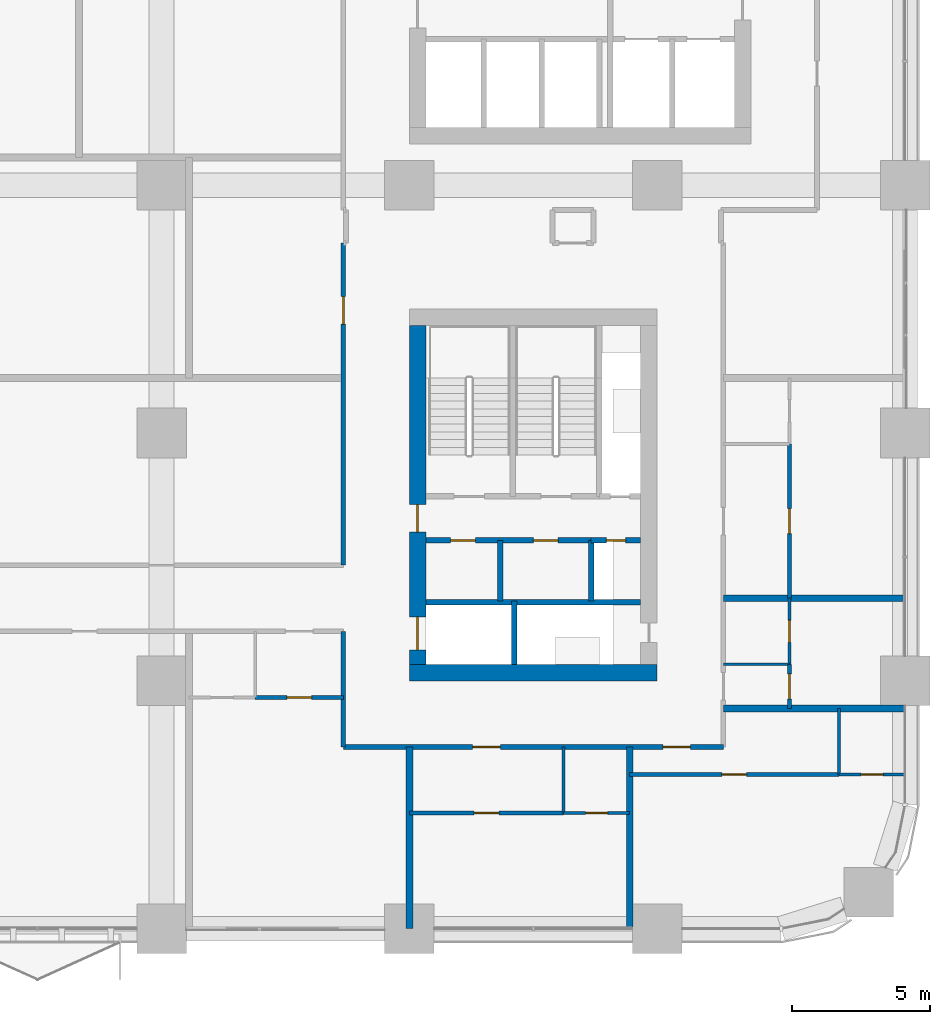
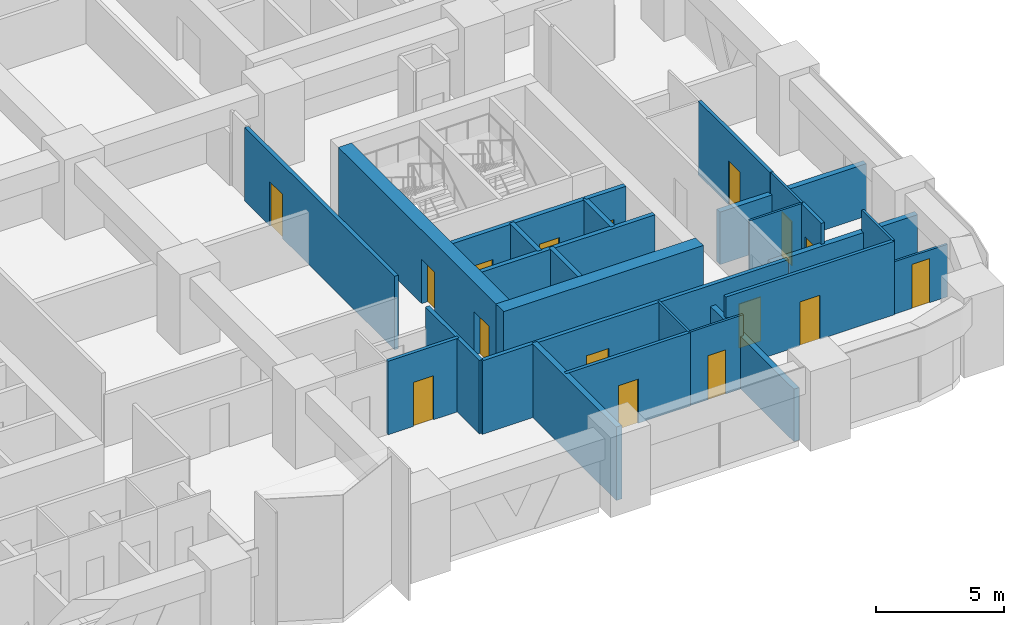
# One storey, part 16 of 24: 26 walls, 16 doors, 16 openings.
"""IFC4 building model written with IfcOpenShell, lengths in metres."""

from ifc_helpers import new_model, si_unit, direction, frame, frame_2d, origin, place, context, subcontext, project, spatial, rectangle, extrude, material, layer, layer_set, type_object, element, fill, save


model = new_model("IFC4")

# Units and contexts
model_context = context("Model", 3, precision=1e-05, world=origin(), true_north=direction((0.0, 1.0)))
body_context = subcontext(model_context, "Body", "Model", "MODEL_VIEW")
ifc_project = project(units=[si_unit("LENGTHUNIT", "METRE"), si_unit("AREAUNIT", "SQUARE_METRE"), si_unit("VOLUMEUNIT", "CUBIC_METRE"), si_unit("PLANEANGLEUNIT", "RADIAN"), si_unit("MASSUNIT", "GRAM", prefix="KILO")], contexts=[model_context])

# Site, building, storey
site_placement = place(None, origin())
site = spatial("IfcSite", under=ifc_project, at=site_placement, CompositionType="ELEMENT")
building_placement = place(site_placement, origin())
building = spatial("IfcBuilding", under=site, at=building_placement, Name="Tessera Arch", CompositionType="ELEMENT")
storey_placement = place(building_placement, frame((0.0, 0.0, 38.60009765625)))
storey = spatial("IfcBuildingStorey", under=building, at=storey_placement, Name="L07", CompositionType="ELEMENT", Elevation=38.60009765625)

# Wall
ifc_material_1 = material(Name="Gypsum board on steel stud", Category="steel")
ifc_layer_1 = layer(ifc_material_1, 0.125)
ifc_layer_set_1 = layer_set([ifc_layer_1], Name="Core partition 125 EI 60")
wall_type_1 = type_object("IfcWallType", Name="Core partition 125 EI 60", PredefinedType="PARTITIONING", material=ifc_layer_set_1)
wall_1_placement = place(storey_placement, frame((39.300048828125, 11.89990234375, 0.0), z_axis=(0.0, 0.0, 1.0), x_axis=(0.0, 1.0, 0.0)))
element("IfcWall", 1, at=wall_1_placement, inside=storey, type_object=wall_type_1, Name="L07 C3 partition wall 1", PredefinedType="PARTITIONING", context=body_context, shape_type="SweptSolid", body=[
    extrude(rectangle(XDim=2.2001953125, YDim=0.199951171875, at=frame_2d((1.10009765625, 0.0))), origin(), (0.0, 0.0, 1.0), 3.5),
])

# Wall, openings, doors
wall_2_placement = place(storey_placement, frame((36.60009765625, 14.10009765625, 0.0), z_axis=(0.0, 0.0, 1.0), x_axis=(1.0, 0.0, 0.0)))
wall_2 = element("IfcWall", 2, at=wall_2_placement, inside=storey, type_object=wall_type_1, Name="L07 C3 partition wall 9", PredefinedType="PARTITIONING", context=body_context, shape_type="SweptSolid", body=[
    extrude(rectangle(XDim=6.0, YDim=0.199951171875, at=frame_2d((3.0, 0.0))), origin(), (0.0, 0.0, 1.0), 3.5),
])
opening_1_placement = place(wall_2_placement, frame((0.89990234375, 0.0, 0.0)))
opening_1 = element("IfcOpeningElement", 3, at=opening_1_placement, cuts=wall_2, Name="Opening L07-C38", PredefinedType="OPENING", context=body_context, shape_type="SweptSolid", body=[
    extrude(rectangle(XDim=0.89990234375, YDim=2.10009765625, at=frame_2d((0.449951171875, 1.050048828125))), frame((0.0, 0.10986328125, 0.0), z_axis=(0.0, -1.0, 0.0), x_axis=(1.0, 0.0, 0.0)), (0.0, 0.0, 1.0), 0.219970703125),
])
opening_2_placement = place(wall_2_placement, frame((3.89990234375, 0.0, 0.0)))
opening_2 = element("IfcOpeningElement", 4, at=opening_2_placement, cuts=wall_2, Name="Opening L07-C39", PredefinedType="OPENING", context=body_context, shape_type="SweptSolid", body=[
    extrude(rectangle(XDim=0.89990234375, YDim=2.10009765625, at=frame_2d((0.449951171875, 1.050048828125))), frame((0.0, 0.10986328125, 0.0), z_axis=(0.0, -1.0, 0.0), x_axis=(1.0, 0.0, 0.0)), (0.0, 0.0, 1.0), 0.219970703125),
])
ifc_material_2 = material(Name="Steel door leaf", Category="steel")
door_type_1 = type_object("IfcDoorType", Name="Store door FD30S 900 x 2100", OperationType="SINGLE_SWING_LEFT", PredefinedType="DOOR", material=ifc_material_2)
door_1_placement = place(opening_1_placement, origin())
door_1 = element("IfcDoor", 5, at=door_1_placement, inside=storey, type_object=door_type_1, Name="L07 C3 door 8 C38 type D09", OperationType="SINGLE_SWING_LEFT", OverallHeight=2.10009765625, OverallWidth=0.89990234375, PredefinedType="DOOR", context=body_context, shape_type="SweptSolid", body=[
    extrude(rectangle(XDim=0.89990234375, YDim=2.10009765625, at=frame_2d((0.449951171875, 1.050048828125))), frame((0.0, 0.02490234375, 0.0), z_axis=(0.0, -1.0, 0.0), x_axis=(1.0, 0.0, 0.0)), (0.0, 0.0, 1.0), 0.050048828125),
])
fill(opening_1, door_1)
door_2_placement = place(opening_2_placement, origin())
door_2 = element("IfcDoor", 6, at=door_2_placement, inside=storey, type_object=door_type_1, Name="L07 C3 door 9 C39 type D09", OperationType="SINGLE_SWING_RIGHT", OverallHeight=2.10009765625, OverallWidth=0.89990234375, PredefinedType="DOOR", context=body_context, shape_type="SweptSolid", body=[
    extrude(rectangle(XDim=0.89990234375, YDim=2.10009765625, at=frame_2d((0.449951171875, 1.050048828125))), frame((0.0, 0.02490234375, 0.0), z_axis=(0.0, -1.0, 0.0), x_axis=(1.0, 0.0, 0.0)), (0.0, 0.0, 1.0), 0.050048828125),
])
fill(opening_2, door_2)

# Wall
ifc_material_3 = material(Name="Concrete C70/85", Category="concrete")
ifc_layer_2 = layer(ifc_material_3, 0.60009765625)
ifc_layer_set_2 = layer_set([ifc_layer_2], Name="Core shell wall 600 C70-85")
wall_type_2 = type_object("IfcWallType", Name="Core shell wall 600 C70-85", PredefinedType="SHEAR", material=ifc_layer_set_2)
wall_3_placement = place(storey_placement, frame((36.0, 9.300048828125, 0.0), z_axis=(0.0, 0.0, 1.0), x_axis=(1.0, 0.0, 0.0)))
element("IfcWall", 7, at=wall_3_placement, inside=storey, type_object=wall_type_2, Name="L07 C3 core wall S", PredefinedType="SHEAR", context=body_context, shape_type="SweptSolid", body=[
    extrude(rectangle(XDim=9.0, YDim=0.60009765625, at=frame_2d((4.5, 0.0))), origin(), (0.0, 0.0, 1.0), 3.5),
])

# Wall, openings, doors
wall_4_placement = place(storey_placement, frame((36.300048828125, 9.60009765625, 0.0), z_axis=(0.0, 0.0, 1.0), x_axis=(0.0, 1.0, 0.0)))
wall_4 = element("IfcWall", 8, at=wall_4_placement, inside=storey, type_object=wall_type_2, Name="L07 C3 core wall W", PredefinedType="SHEAR", context=body_context, shape_type="SweptSolid", body=[
    extrude(rectangle(XDim=12.2998046875, YDim=0.60009765625, at=frame_2d((6.14990234375, 0.0))), origin(), (0.0, 0.0, 1.0), 3.5),
])
opening_3_placement = place(wall_4_placement, frame((0.52490234375, 0.0, 0.0)))
opening_3 = element("IfcOpeningElement", 9, at=opening_3_placement, cuts=wall_4, Name="Opening L07-C31", PredefinedType="OPENING", context=body_context, shape_type="SweptSolid", body=[
    extrude(rectangle(XDim=1.199951171875, YDim=2.10009765625, at=frame_2d((0.60009765625, 1.050048828125))), frame((0.0, 0.31005859375, 0.0), z_axis=(0.0, -1.0, 0.0), x_axis=(1.0, 0.0, 0.0)), (0.0, 0.0, 1.0), 0.6201171875),
])
opening_4_placement = place(wall_4_placement, frame((4.800048828125, 0.0, 0.0)))
opening_4 = element("IfcOpeningElement", 10, at=opening_4_placement, cuts=wall_4, Name="Opening L07-C37", PredefinedType="OPENING", context=body_context, shape_type="SweptSolid", body=[
    extrude(rectangle(XDim=1.0, YDim=2.10009765625, at=frame_2d((0.5, 1.050048828125))), frame((0.0, 0.31005859375, 0.0), z_axis=(0.0, -1.0, 0.0), x_axis=(1.0, 0.0, 0.0)), (0.0, 0.0, 1.0), 0.6201171875),
])
ifc_material_4 = material(Name="Steel door leaf", Category="steel")
door_type_2 = type_object("IfcDoorType", Name="Corridor door FD60 1000 x 2100", OperationType="SINGLE_SWING_LEFT", PredefinedType="DOOR", material=ifc_material_4)
door_3_placement = place(opening_4_placement, origin())
door_3 = element("IfcDoor", 11, at=door_3_placement, inside=storey, type_object=door_type_2, Name="L07 C3 door 7 C37 type D12", OperationType="SINGLE_SWING_LEFT", OverallHeight=2.10009765625, OverallWidth=1.0, PredefinedType="DOOR", context=body_context, shape_type="SweptSolid", body=[
    extrude(rectangle(XDim=1.0, YDim=2.10009765625, at=frame_2d((0.5, 1.050048828125))), frame((0.0, 0.02490234375, 0.0), z_axis=(0.0, -1.0, 0.0), x_axis=(1.0, 0.0, 0.0)), (0.0, 0.0, 1.0), 0.050048828125),
])
fill(opening_4, door_3)
ifc_material_5 = material(Name="Stainless steel AISI 304", Category="steel")
door_type_3 = type_object("IfcDoorType", Name="Sliding landing door 1200 x 2100", OperationType="SLIDING_TO_LEFT", PredefinedType="DOOR", material=ifc_material_5)
door_4_placement = place(opening_3_placement, origin())
door_4 = element("IfcDoor", 12, at=door_4_placement, inside=storey, type_object=door_type_3, Name="L07 SV1 lift landing door C31 type LD", OperationType="SLIDING_TO_LEFT", OverallHeight=2.10009765625, OverallWidth=1.199951171875, PredefinedType="DOOR", context=body_context, shape_type="SweptSolid", body=[
    extrude(rectangle(XDim=1.199951171875, YDim=2.10009765625, at=frame_2d((0.60009765625, 1.050048828125))), frame((0.0, 0.02490234375, 0.0), z_axis=(0.0, -1.0, 0.0), x_axis=(1.0, 0.0, 0.0)), (0.0, 0.0, 1.0), 0.050048828125),
])
fill(opening_3, door_4)

ifc_material_6 = material(Name="Gypsum board on deep steel stud with mineral wool", Category="steel")
ifc_layer_3 = layer(ifc_material_6, 0.175048828125)
ifc_layer_set_3 = layer_set([ifc_layer_3], Name="Corridor wall 175 EI 60")
wall_type_3 = type_object("IfcWallType", Name="Corridor wall 175 EI 60", PredefinedType="PARTITIONING", material=ifc_layer_set_3)
wall_5_placement = place(storey_placement, frame((33.60009765625, 6.60009765625, 0.0), z_axis=(0.0, 0.0, 1.0), x_axis=(1.0, 0.0, 0.0)))
wall_5 = element("IfcWall", 13, at=wall_5_placement, inside=storey, type_object=wall_type_3, Name="L07 partition 2", PredefinedType="PARTITIONING", context=body_context, shape_type="SweptSolid", body=[
    extrude(rectangle(XDim=13.7998046875, YDim=0.175048828125, at=frame_2d((6.89990234375, 0.0))), origin(), (0.0, 0.0, 1.0), 3.5),
])
opening_5_placement = place(wall_5_placement, frame((4.699951171875, 0.0, 0.0)))
opening_5 = element("IfcOpeningElement", 14, at=opening_5_placement, cuts=wall_5, Name="Opening L07-D007", PredefinedType="OPENING", context=body_context, shape_type="SweptSolid", body=[
    extrude(rectangle(XDim=1.0, YDim=2.10009765625, at=frame_2d((0.5, 1.050048828125))), frame((0.0, 0.097412109375, 0.0), z_axis=(0.0, -1.0, 0.0), x_axis=(1.0, 0.0, 0.0)), (0.0, 0.0, 1.0), 0.195068359375),
])
opening_6_placement = place(wall_5_placement, frame((11.60009765625, 0.0, 0.0)))
opening_6 = element("IfcOpeningElement", 15, at=opening_6_placement, cuts=wall_5, Name="Opening L07-D010", PredefinedType="OPENING", context=body_context, shape_type="SweptSolid", body=[
    extrude(rectangle(XDim=1.0, YDim=2.10009765625, at=frame_2d((0.5, 1.050048828125))), frame((0.0, 0.097412109375, 0.0), z_axis=(0.0, -1.0, 0.0), x_axis=(1.0, 0.0, 0.0)), (0.0, 0.0, 1.0), 0.195068359375),
])
ifc_material_7 = material(Name="Fire-rated door leaf")
door_type_4 = type_object("IfcDoorType", Name="Entrance door FD30S 1000 x 2100", OperationType="SINGLE_SWING_LEFT", PredefinedType="DOOR", material=ifc_material_7)
door_5_placement = place(opening_5_placement, origin())
door_5 = element("IfcDoor", 16, at=door_5_placement, inside=storey, type_object=door_type_4, Name="L07 door D007 type D03", OperationType="SINGLE_SWING_RIGHT", OverallHeight=2.10009765625, OverallWidth=1.0, PredefinedType="DOOR", context=body_context, shape_type="SweptSolid", body=[
    extrude(rectangle(XDim=1.0, YDim=2.10009765625, at=frame_2d((0.5, 1.050048828125))), frame((0.0, 0.02490234375, 0.0), z_axis=(0.0, -1.0, 0.0), x_axis=(1.0, 0.0, 0.0)), (0.0, 0.0, 1.0), 0.050048828125),
])
fill(opening_5, door_5)
door_6_placement = place(opening_6_placement, origin())
door_6 = element("IfcDoor", 17, at=door_6_placement, inside=storey, type_object=door_type_4, Name="L07 door D010 type D03", OperationType="SINGLE_SWING_LEFT", OverallHeight=2.10009765625, OverallWidth=1.0, PredefinedType="DOOR", context=body_context, shape_type="SweptSolid", body=[
    extrude(rectangle(XDim=1.0, YDim=2.10009765625, at=frame_2d((0.5, 1.050048828125))), frame((0.0, 0.02490234375, 0.0), z_axis=(0.0, -1.0, 0.0), x_axis=(1.0, 0.0, 0.0)), (0.0, 0.0, 1.0), 0.050048828125),
])
fill(opening_6, door_6)

# Wall
wall_6_placement = place(storey_placement, frame((33.60009765625, 6.60009765625, 0.0), z_axis=(0.0, 0.0, 1.0), x_axis=(0.0, 1.0, 0.0)))
element("IfcWall", 18, at=wall_6_placement, inside=storey, type_object=wall_type_3, Name="L07 partition 31", PredefinedType="PARTITIONING", context=body_context, shape_type="SweptSolid", body=[
    extrude(rectangle(XDim=4.199951171875, YDim=0.175048828125, at=frame_2d((2.10009765625, 0.0))), origin(), (0.0, 0.0, 1.0), 3.5),
])

# Wall, opening, door
wall_7_placement = place(storey_placement, frame((33.60009765625, 13.199951171875, 0.0), z_axis=(0.0, 0.0, 1.0), x_axis=(0.0, 1.0, 0.0)))
wall_7 = element("IfcWall", 19, at=wall_7_placement, inside=storey, type_object=wall_type_3, Name="L07 partition 32", PredefinedType="PARTITIONING", context=body_context, shape_type="SweptSolid", body=[
    extrude(rectangle(XDim=11.699951171875, YDim=0.175048828125, at=frame_2d((5.85009765625, 0.0))), origin(), (0.0, 0.0, 1.0), 3.5),
])
opening_7_placement = place(wall_7_placement, frame((8.75, 0.0, 0.0)))
opening_7 = element("IfcOpeningElement", 20, at=opening_7_placement, cuts=wall_7, Name="Opening L07-D030", PredefinedType="OPENING", context=body_context, shape_type="SweptSolid", body=[
    extrude(rectangle(XDim=1.0, YDim=2.10009765625, at=frame_2d((0.5, 1.050048828125))), frame((0.0, 0.097412109375, 0.0), z_axis=(0.0, -1.0, 0.0), x_axis=(1.0, 0.0, 0.0)), (0.0, 0.0, 1.0), 0.195068359375),
])
door_7_placement = place(opening_7_placement, origin())
door_7 = element("IfcDoor", 21, at=door_7_placement, inside=storey, type_object=door_type_4, Name="L07 door D030 type D03", OperationType="SINGLE_SWING_RIGHT", OverallHeight=2.10009765625, OverallWidth=1.0, PredefinedType="DOOR", context=body_context, shape_type="SweptSolid", body=[
    extrude(rectangle(XDim=1.0, YDim=2.10009765625, at=frame_2d((0.5, 1.050048828125))), frame((0.0, 0.02490234375, 0.0), z_axis=(0.0, -1.0, 0.0), x_axis=(1.0, 0.0, 0.0)), (0.0, 0.0, 1.0), 0.050048828125),
])
fill(opening_7, door_7)

ifc_material_8 = material(Name="Gypsum board on steel stud", Category="steel")
ifc_layer_4 = layer(ifc_material_8, 0.14990234375)
ifc_layer_set_4 = layer_set([ifc_layer_4], Name="Partition 150")
wall_type_4 = type_object("IfcWallType", Name="Partition 150", PredefinedType="PARTITIONING", material=ifc_layer_set_4)
wall_8_placement = place(storey_placement, frame((36.0, 4.199951171875, 0.0), z_axis=(0.0, 0.0, 1.0), x_axis=(1.0, 0.0, 0.0)))
wall_8 = element("IfcWall", 22, at=wall_8_placement, inside=storey, type_object=wall_type_4, Name="L07 partition 43", PredefinedType="PARTITIONING", context=body_context, shape_type="SweptSolid", body=[
    extrude(rectangle(XDim=5.60009765625, YDim=0.14990234375, at=frame_2d((2.800048828125, 0.0))), origin(), (0.0, 0.0, 1.0), 3.5),
])
opening_8_placement = place(wall_8_placement, frame((2.35009765625, 0.0, 0.0)))
opening_8 = element("IfcOpeningElement", 23, at=opening_8_placement, cuts=wall_8, Name="Opening L07-D008", PredefinedType="OPENING", context=body_context, shape_type="SweptSolid", body=[
    extrude(rectangle(XDim=0.89990234375, YDim=2.10009765625, at=frame_2d((0.449951171875, 1.050048828125))), frame((0.0, 0.0849609375, 0.0), z_axis=(0.0, -1.0, 0.0), x_axis=(1.0, 0.0, 0.0)), (0.0, 0.0, 1.0), 0.169921875),
])
ifc_material_9 = material(Name="Timber door leaf", Category="wood")
door_type_5 = type_object("IfcDoorType", Name="Room door 900 x 2100", OperationType="SINGLE_SWING_LEFT", PredefinedType="DOOR", material=ifc_material_9)
door_8_placement = place(opening_8_placement, origin())
door_8 = element("IfcDoor", 24, at=door_8_placement, inside=storey, type_object=door_type_5, Name="L07 door D008 type D01", OperationType="SINGLE_SWING_LEFT", OverallHeight=2.10009765625, OverallWidth=0.89990234375, PredefinedType="DOOR", context=body_context, shape_type="SweptSolid", body=[
    extrude(rectangle(XDim=0.89990234375, YDim=2.10009765625, at=frame_2d((0.449951171875, 1.050048828125))), frame((0.0, 0.02490234375, 0.0), z_axis=(0.0, -1.0, 0.0), x_axis=(1.0, 0.0, 0.0)), (0.0, 0.0, 1.0), 0.050048828125),
])
fill(opening_8, door_8)

wall_9_placement = place(storey_placement, frame((44.0, 5.60009765625, 0.0), z_axis=(0.0, 0.0, 1.0), x_axis=(1.0, 0.0, 0.0)))
wall_9 = element("IfcWall", 25, at=wall_9_placement, inside=storey, type_object=wall_type_4, Name="L07 partition 44", PredefinedType="PARTITIONING", context=body_context, shape_type="SweptSolid", body=[
    extrude(rectangle(XDim=7.60009765625, YDim=0.14990234375, at=frame_2d((3.800048828125, 0.0))), origin(), (0.0, 0.0, 1.0), 3.5),
])
opening_9_placement = place(wall_9_placement, frame((3.35009765625, 0.0, 0.0)))
opening_9 = element("IfcOpeningElement", 26, at=opening_9_placement, cuts=wall_9, Name="Opening L07-D011", PredefinedType="OPENING", context=body_context, shape_type="SweptSolid", body=[
    extrude(rectangle(XDim=0.89990234375, YDim=2.10009765625, at=frame_2d((0.449951171875, 1.050048828125))), frame((0.0, 0.0849609375, 0.0), z_axis=(0.0, -1.0, 0.0), x_axis=(1.0, 0.0, 0.0)), (0.0, 0.0, 1.0), 0.169921875),
])
door_9_placement = place(opening_9_placement, origin())
door_9 = element("IfcDoor", 27, at=door_9_placement, inside=storey, type_object=door_type_5, Name="L07 door D011 type D01", OperationType="SINGLE_SWING_RIGHT", OverallHeight=2.10009765625, OverallWidth=0.89990234375, PredefinedType="DOOR", context=body_context, shape_type="SweptSolid", body=[
    extrude(rectangle(XDim=0.89990234375, YDim=2.10009765625, at=frame_2d((0.449951171875, 1.050048828125))), frame((0.0, 0.02490234375, 0.0), z_axis=(0.0, -1.0, 0.0), x_axis=(1.0, 0.0, 0.0)), (0.0, 0.0, 1.0), 0.050048828125),
])
fill(opening_9, door_9)

wall_10_placement = place(storey_placement, frame((30.39990234375, 8.39990234375, 0.0), z_axis=(0.0, 0.0, 1.0), x_axis=(1.0, 0.0, 0.0)))
wall_10 = element("IfcWall", 28, at=wall_10_placement, inside=storey, type_object=wall_type_4, Name="L07 partition 45", PredefinedType="PARTITIONING", context=body_context, shape_type="SweptSolid", body=[
    extrude(rectangle(XDim=3.2001953125, YDim=0.14990234375, at=frame_2d((1.60009765625, 0.0))), origin(), (0.0, 0.0, 1.0), 3.5),
])
opening_10_placement = place(wall_10_placement, frame((1.14990234375, 0.0, 0.0)))
opening_10 = element("IfcOpeningElement", 29, at=opening_10_placement, cuts=wall_10, Name="Opening L07-D014", PredefinedType="OPENING", context=body_context, shape_type="SweptSolid", body=[
    extrude(rectangle(XDim=0.89990234375, YDim=2.10009765625, at=frame_2d((0.449951171875, 1.050048828125))), frame((0.0, 0.0849609375, 0.0), z_axis=(0.0, -1.0, 0.0), x_axis=(1.0, 0.0, 0.0)), (0.0, 0.0, 1.0), 0.169921875),
])
door_10_placement = place(opening_10_placement, origin())
door_10 = element("IfcDoor", 30, at=door_10_placement, inside=storey, type_object=door_type_5, Name="L07 door D014 type D01", OperationType="SINGLE_SWING_LEFT", OverallHeight=2.10009765625, OverallWidth=0.89990234375, PredefinedType="DOOR", context=body_context, shape_type="SweptSolid", body=[
    extrude(rectangle(XDim=0.89990234375, YDim=2.10009765625, at=frame_2d((0.449951171875, 1.050048828125))), frame((0.0, 0.02490234375, 0.0), z_axis=(0.0, -1.0, 0.0), x_axis=(1.0, 0.0, 0.0)), (0.0, 0.0, 1.0), 0.050048828125),
])
fill(opening_10, door_10)

wall_11_placement = place(storey_placement, frame((49.800048828125, 8.0, 0.0), z_axis=(0.0, 0.0, 1.0), x_axis=(0.0, 1.0, 0.0)))
wall_11 = element("IfcWall", 31, at=wall_11_placement, inside=storey, type_object=wall_type_4, Name="L07 partition 47", PredefinedType="PARTITIONING", context=body_context, shape_type="SweptSolid", body=[
    extrude(rectangle(XDim=1.60009765625, YDim=0.14990234375, at=frame_2d((0.800048828125, 0.0))), origin(), (0.0, 0.0, 1.0), 3.5),
])
opening_11_placement = place(wall_11_placement, frame((0.35009765625, 0.0, 0.0)))
opening_11 = element("IfcOpeningElement", 32, at=opening_11_placement, cuts=wall_11, Name="Opening L07-D020", PredefinedType="OPENING", context=body_context, shape_type="SweptSolid", body=[
    extrude(rectangle(XDim=0.89990234375, YDim=2.10009765625, at=frame_2d((0.449951171875, 1.050048828125))), frame((0.0, 0.0849609375, 0.0), z_axis=(0.0, -1.0, 0.0), x_axis=(1.0, 0.0, 0.0)), (0.0, 0.0, 1.0), 0.169921875),
])
door_11_placement = place(opening_11_placement, origin())
door_11 = element("IfcDoor", 33, at=door_11_placement, inside=storey, type_object=door_type_5, Name="L07 door D020 type D01", OperationType="SINGLE_SWING_LEFT", OverallHeight=2.10009765625, OverallWidth=0.89990234375, PredefinedType="DOOR", context=body_context, shape_type="SweptSolid", body=[
    extrude(rectangle(XDim=0.89990234375, YDim=2.10009765625, at=frame_2d((0.449951171875, 1.050048828125))), frame((0.0, 0.02490234375, 0.0), z_axis=(0.0, -1.0, 0.0), x_axis=(1.0, 0.0, 0.0)), (0.0, 0.0, 1.0), 0.050048828125),
])
fill(opening_11, door_11)

wall_12_placement = place(storey_placement, frame((49.800048828125, 12.0, 0.0), z_axis=(0.0, 0.0, 1.0), x_axis=(0.0, 1.0, 0.0)))
wall_12 = element("IfcWall", 34, at=wall_12_placement, inside=storey, type_object=wall_type_4, Name="L07 partition 48", PredefinedType="PARTITIONING", context=body_context, shape_type="SweptSolid", body=[
    extrude(rectangle(XDim=5.60009765625, YDim=0.14990234375, at=frame_2d((2.800048828125, 0.0))), origin(), (0.0, 0.0, 1.0), 3.5),
])
opening_12_placement = place(wall_12_placement, frame((2.35009765625, 0.0, 0.0)))
opening_12 = element("IfcOpeningElement", 35, at=opening_12_placement, cuts=wall_12, Name="Opening L07-D023", PredefinedType="OPENING", context=body_context, shape_type="SweptSolid", body=[
    extrude(rectangle(XDim=0.89990234375, YDim=2.10009765625, at=frame_2d((0.449951171875, 1.050048828125))), frame((0.0, 0.0849609375, 0.0), z_axis=(0.0, -1.0, 0.0), x_axis=(1.0, 0.0, 0.0)), (0.0, 0.0, 1.0), 0.169921875),
])
door_12_placement = place(opening_12_placement, origin())
door_12 = element("IfcDoor", 36, at=door_12_placement, inside=storey, type_object=door_type_5, Name="L07 door D023 type D01", OperationType="SINGLE_SWING_RIGHT", OverallHeight=2.10009765625, OverallWidth=0.89990234375, PredefinedType="DOOR", context=body_context, shape_type="SweptSolid", body=[
    extrude(rectangle(XDim=0.89990234375, YDim=2.10009765625, at=frame_2d((0.449951171875, 1.050048828125))), frame((0.0, 0.02490234375, 0.0), z_axis=(0.0, -1.0, 0.0), x_axis=(1.0, 0.0, 0.0)), (0.0, 0.0, 1.0), 0.050048828125),
])
fill(opening_12, door_12)

# Walls
ifc_material_10 = material(Name="Double gypsum board on twin steel stud with acoustic mineral wool", Category="steel")
ifc_layer_5 = layer(ifc_material_10, 0.25)
ifc_layer_set_5 = layer_set([ifc_layer_5], Name="Party wall 250 EI 60")
wall_type_5 = type_object("IfcWallType", Name="Party wall 250 EI 60", PredefinedType="PARTITIONING", material=ifc_layer_set_5)
for number, where, z_axis, x_axis, name in (
    (37, (47.39990234375, 8.0, 0.0), (0.0, 0.0, 1.0), (1.0, 0.0, 0.0), "L07 partition 50"),
    (38, (47.39990234375, 12.0, 0.0), (0.0, 0.0, 1.0), (1.0, 0.0, 0.0), "L07 partition 51"),
):
    element("IfcWall", number, at=place(storey_placement, frame(where, z_axis=z_axis, x_axis=x_axis)), inside=storey, type_object=wall_type_5, Name=name, PredefinedType="PARTITIONING", context=body_context, shape_type="SweptSolid", body=[
        extrude(rectangle(XDim=6.60009765625, YDim=0.25, at=frame_2d((3.300048828125, 0.0))), origin(), (0.0, 0.0, 1.0), 2.5),
    ])
wall_13_placement = place(storey_placement, frame((36.0, 0.0, 0.0), z_axis=(0.0, 0.0, 1.0), x_axis=(0.0, 1.0, 0.0)))
element("IfcWall", 39, at=wall_13_placement, inside=storey, type_object=wall_type_5, Name="L07 partition 69", PredefinedType="PARTITIONING", context=body_context, shape_type="SweptSolid", body=[
    extrude(rectangle(XDim=6.60009765625, YDim=0.25, at=frame_2d((3.300048828125, 0.0))), origin(), (0.0, 0.0, 1.0), 3.5),
])
wall_14_placement = place(storey_placement, frame((44.0, 0.0, 0.0), z_axis=(0.0, 0.0, 1.0), x_axis=(0.0, 1.0, 0.0)))
element("IfcWall", 40, at=wall_14_placement, inside=storey, type_object=wall_type_5, Name="L07 partition 71", PredefinedType="PARTITIONING", context=body_context, shape_type="SweptSolid", body=[
    extrude(rectangle(XDim=6.60009765625, YDim=0.25, at=frame_2d((3.300048828125, 0.0))), origin(), (0.0, 0.0, 1.0), 2.5),
])
ifc_material_11 = material(Name="Concrete C40/50", Category="concrete")
ifc_layer_6 = layer(ifc_material_11, 0.199951171875)
ifc_layer_set_6 = layer_set([ifc_layer_6], Name="Shaft wall 200 EI 120")
wall_type_6 = type_object("IfcWallType", Name="Shaft wall 200 EI 120", PredefinedType="SOLIDWALL", material=ifc_layer_set_6)
wall_15_placement = place(storey_placement, frame((39.800048828125, 9.60009765625, 0.0), z_axis=(0.0, 0.0, 1.0), x_axis=(0.0, 1.0, 0.0)))
element("IfcWall", 41, at=wall_15_placement, inside=storey, type_object=wall_type_6, Name="L07 C3 shaft wall 4", PredefinedType="SOLIDWALL", context=body_context, shape_type="SweptSolid", body=[
    extrude(rectangle(XDim=2.2998046875, YDim=0.199951171875, at=frame_2d((1.14990234375, 0.0))), origin(), (0.0, 0.0, 1.0), 3.5),
])
wall_16_placement = place(storey_placement, frame((42.60009765625, 11.89990234375, 0.0), z_axis=(0.0, 0.0, 1.0), x_axis=(0.0, 1.0, 0.0)))
element("IfcWall", 42, at=wall_16_placement, inside=storey, type_object=wall_type_6, Name="L07 C3 shaft wall 5", PredefinedType="SOLIDWALL", context=body_context, shape_type="SweptSolid", body=[
    extrude(rectangle(XDim=2.2001953125, YDim=0.199951171875, at=frame_2d((1.10009765625, 0.0))), origin(), (0.0, 0.0, 1.0), 3.5),
])
wall_17_placement = place(storey_placement, frame((36.60009765625, 11.85009765625, 0.0), z_axis=(0.0, 0.0, 1.0), x_axis=(1.0, 0.0, 0.0)))
element("IfcWall", 43, at=wall_17_placement, inside=storey, type_object=wall_type_6, Name="L07 C3 shaft wall 8", PredefinedType="SOLIDWALL", context=body_context, shape_type="SweptSolid", body=[
    extrude(rectangle(XDim=7.7998046875, YDim=0.199951171875, at=frame_2d((3.89990234375, 0.0))), origin(), (0.0, 0.0, 1.0), 3.5),
])

# Wall, opening, door
wall_18_placement = place(storey_placement, frame((42.60009765625, 14.10009765625, 0.0), z_axis=(0.0, 0.0, 1.0), x_axis=(1.0, 0.0, 0.0)))
wall_18 = element("IfcWall", 44, at=wall_18_placement, inside=storey, type_object=wall_type_6, Name="L07 C3 shaft wall 10", PredefinedType="SOLIDWALL", context=body_context, shape_type="SweptSolid", body=[
    extrude(rectangle(XDim=1.7998046875, YDim=0.199951171875, at=frame_2d((0.89990234375, 0.0))), origin(), (0.0, 0.0, 1.0), 3.5),
])
opening_13_placement = place(wall_18_placement, frame((0.550048828125, 0.0, 0.0)))
opening_13 = element("IfcOpeningElement", 45, at=opening_13_placement, cuts=wall_18, Name="Opening L07-C35", PredefinedType="OPENING", context=body_context, shape_type="SweptSolid", body=[
    extrude(rectangle(XDim=0.699951171875, YDim=2.10009765625, at=frame_2d((0.35009765625, 1.050048828125))), frame((0.0, 0.10986328125, 0.0), z_axis=(0.0, -1.0, 0.0), x_axis=(1.0, 0.0, 0.0)), (0.0, 0.0, 1.0), 0.219970703125),
])
ifc_material_12 = material(Name="Steel door leaf", Category="steel")
door_type_6 = type_object("IfcDoorType", Name="Service shaft door FD60 700 x 2100", OperationType="SINGLE_SWING_LEFT", PredefinedType="DOOR", material=ifc_material_12)
door_13_placement = place(opening_13_placement, origin())
door_13 = element("IfcDoor", 46, at=door_13_placement, inside=storey, type_object=door_type_6, Name="L07 C3 door 5 C35 type D07", OperationType="SINGLE_SWING_RIGHT", OverallHeight=2.10009765625, OverallWidth=0.699951171875, PredefinedType="DOOR", context=body_context, shape_type="SweptSolid", body=[
    extrude(rectangle(XDim=0.699951171875, YDim=2.10009765625, at=frame_2d((0.35009765625, 1.050048828125))), frame((0.0, 0.02490234375, 0.0), z_axis=(0.0, -1.0, 0.0), x_axis=(1.0, 0.0, 0.0)), (0.0, 0.0, 1.0), 0.050048828125),
])
fill(opening_13, door_13)

ifc_material_13 = material(Name="Moisture-resistant board on pre-plumbed steel stud", Category="steel")
ifc_layer_7 = layer(ifc_material_13, 0.10009765625)
ifc_layer_set_7 = layer_set([ifc_layer_7], Name="Wet wall 100")
wall_type_7 = type_object("IfcWallType", Name="Wet wall 100", PredefinedType="PARTITIONING", material=ifc_layer_set_7)
wall_19_placement = place(storey_placement, frame((41.60009765625, 4.199951171875, 0.0), z_axis=(0.0, 0.0, 1.0), x_axis=(1.0, 0.0, 0.0)))
wall_19 = element("IfcWall", 47, at=wall_19_placement, inside=storey, type_object=wall_type_7, Name="L07 partition 75", PredefinedType="PARTITIONING", context=body_context, shape_type="SweptSolid", body=[
    extrude(rectangle(XDim=2.39990234375, YDim=0.10009765625, at=frame_2d((1.199951171875, 0.0))), origin(), (0.0, 0.0, 1.0), 3.5),
])
opening_14_placement = place(wall_19_placement, frame((0.800048828125, 0.0, 0.0)))
opening_14 = element("IfcOpeningElement", 48, at=opening_14_placement, cuts=wall_19, Name="Opening L07-D009", PredefinedType="OPENING", context=body_context, shape_type="SweptSolid", body=[
    extrude(rectangle(XDim=0.800048828125, YDim=2.10009765625, at=frame_2d((0.39990234375, 1.050048828125))), frame((0.0, 0.06005859375, 0.0), z_axis=(0.0, -1.0, 0.0), x_axis=(1.0, 0.0, 0.0)), (0.0, 0.0, 1.0), 0.1201171875),
])
ifc_material_14 = material(Name="Timber door leaf", Category="wood")
door_type_7 = type_object("IfcDoorType", Name="En-suite door 800 x 2100", OperationType="SINGLE_SWING_LEFT", PredefinedType="DOOR", material=ifc_material_14)
door_14_placement = place(opening_14_placement, origin())
door_14 = element("IfcDoor", 49, at=door_14_placement, inside=storey, type_object=door_type_7, Name="L07 door D009 type D02", OperationType="SINGLE_SWING_RIGHT", OverallHeight=2.10009765625, OverallWidth=0.800048828125, PredefinedType="DOOR", context=body_context, shape_type="SweptSolid", body=[
    extrude(rectangle(XDim=0.800048828125, YDim=2.10009765625, at=frame_2d((0.39990234375, 1.050048828125))), frame((0.0, 0.02490234375, 0.0), z_axis=(0.0, -1.0, 0.0), x_axis=(1.0, 0.0, 0.0)), (0.0, 0.0, 1.0), 0.050048828125),
])
fill(opening_14, door_14)

wall_20_placement = place(storey_placement, frame((51.60009765625, 5.60009765625, 0.0), z_axis=(0.0, 0.0, 1.0), x_axis=(1.0, 0.0, 0.0)))
wall_20 = element("IfcWall", 50, at=wall_20_placement, inside=storey, type_object=wall_type_7, Name="L07 partition 76", PredefinedType="PARTITIONING", context=body_context, shape_type="SweptSolid", body=[
    extrude(rectangle(XDim=2.39990234375, YDim=0.10009765625, at=frame_2d((1.199951171875, 0.0))), origin(), (0.0, 0.0, 1.0), 2.5),
])
opening_15_placement = place(wall_20_placement, frame((0.800048828125, 0.0, 0.0)))
opening_15 = element("IfcOpeningElement", 51, at=opening_15_placement, cuts=wall_20, Name="Opening L07-D012", PredefinedType="OPENING", context=body_context, shape_type="SweptSolid", body=[
    extrude(rectangle(XDim=0.800048828125, YDim=2.10009765625, at=frame_2d((0.39990234375, 1.050048828125))), frame((0.0, 0.06005859375, 0.0), z_axis=(0.0, -1.0, 0.0), x_axis=(1.0, 0.0, 0.0)), (0.0, 0.0, 1.0), 0.1201171875),
])
door_15_placement = place(opening_15_placement, origin())
door_15 = element("IfcDoor", 52, at=door_15_placement, inside=storey, type_object=door_type_7, Name="L07 door D012 type D02", OperationType="SINGLE_SWING_LEFT", OverallHeight=2.10009765625, OverallWidth=0.800048828125, PredefinedType="DOOR", context=body_context, shape_type="SweptSolid", body=[
    extrude(rectangle(XDim=0.800048828125, YDim=2.10009765625, at=frame_2d((0.39990234375, 1.050048828125))), frame((0.0, 0.02490234375, 0.0), z_axis=(0.0, -1.0, 0.0), x_axis=(1.0, 0.0, 0.0)), (0.0, 0.0, 1.0), 0.050048828125),
])
fill(opening_15, door_15)

# Walls
for number, where, z_axis, x_axis, name in (
    (53, (47.39990234375, 9.60009765625, 0.0), (0.0, 0.0, 1.0), (1.0, 0.0, 0.0), "L07 partition 78"),
    (54, (41.60009765625, 4.199951171875, 0.0), (0.0, 0.0, 1.0), (0.0, 1.0, 0.0), "L07 partition 85"),
):
    element("IfcWall", number, at=place(storey_placement, frame(where, z_axis=z_axis, x_axis=x_axis)), inside=storey, type_object=wall_type_7, Name=name, PredefinedType="PARTITIONING", context=body_context, shape_type="SweptSolid", body=[
        extrude(rectangle(XDim=2.400146484375, YDim=0.10009765625, at=frame_2d((1.2001953125, 0.0))), origin(), (0.0, 0.0, 1.0), 3.5),
    ])

# Wall, opening, door
wall_21_placement = place(storey_placement, frame((49.800048828125, 9.60009765625, 0.0), z_axis=(0.0, 0.0, 1.0), x_axis=(0.0, 1.0, 0.0)))
wall_21 = element("IfcWall", 55, at=wall_21_placement, inside=storey, type_object=wall_type_7, Name="L07 partition 86", PredefinedType="PARTITIONING", context=body_context, shape_type="SweptSolid", body=[
    extrude(rectangle(XDim=2.39990234375, YDim=0.10009765625, at=frame_2d((1.199951171875, 0.0))), origin(), (0.0, 0.0, 1.0), 3.5),
])
opening_16_placement = place(wall_21_placement, frame((0.800048828125, 0.0, 0.0)))
opening_16 = element("IfcOpeningElement", 56, at=opening_16_placement, cuts=wall_21, Name="Opening L07-D021", PredefinedType="OPENING", context=body_context, shape_type="SweptSolid", body=[
    extrude(rectangle(XDim=0.800048828125, YDim=2.10009765625, at=frame_2d((0.39990234375, 1.050048828125))), frame((0.0, 0.06005859375, 0.0), z_axis=(0.0, -1.0, 0.0), x_axis=(1.0, 0.0, 0.0)), (0.0, 0.0, 1.0), 0.1201171875),
])
door_16_placement = place(opening_16_placement, origin())
door_16 = element("IfcDoor", 57, at=door_16_placement, inside=storey, type_object=door_type_7, Name="L07 door D021 type D02", OperationType="SINGLE_SWING_RIGHT", OverallHeight=2.10009765625, OverallWidth=0.800048828125, PredefinedType="DOOR", context=body_context, shape_type="SweptSolid", body=[
    extrude(rectangle(XDim=0.800048828125, YDim=2.10009765625, at=frame_2d((0.39990234375, 1.050048828125))), frame((0.0, 0.02490234375, 0.0), z_axis=(0.0, -1.0, 0.0), x_axis=(1.0, 0.0, 0.0)), (0.0, 0.0, 1.0), 0.050048828125),
])
fill(opening_16, door_16)

# Wall
wall_22_placement = place(storey_placement, frame((51.60009765625, 5.60009765625, 0.0), z_axis=(0.0, 0.0, 1.0), x_axis=(0.0, 1.0, 0.0)))
element("IfcWall", 58, at=wall_22_placement, inside=storey, type_object=wall_type_7, Name="L07 partition 88", PredefinedType="PARTITIONING", context=body_context, shape_type="SweptSolid", body=[
    extrude(rectangle(XDim=2.39990234375, YDim=0.10009765625, at=frame_2d((1.199951171875, 0.0))), origin(), (0.0, 0.0, 1.0), 3.5),
])

save(model, "model.ifc")
